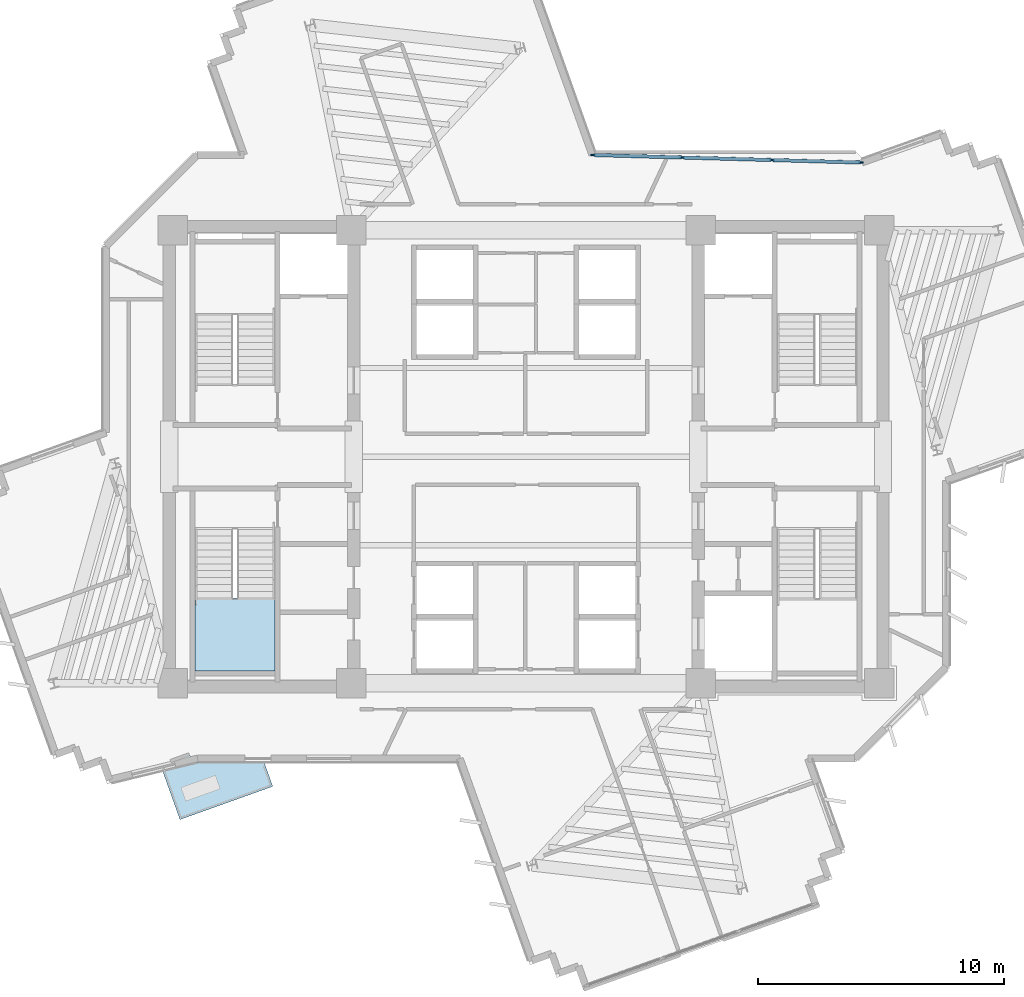
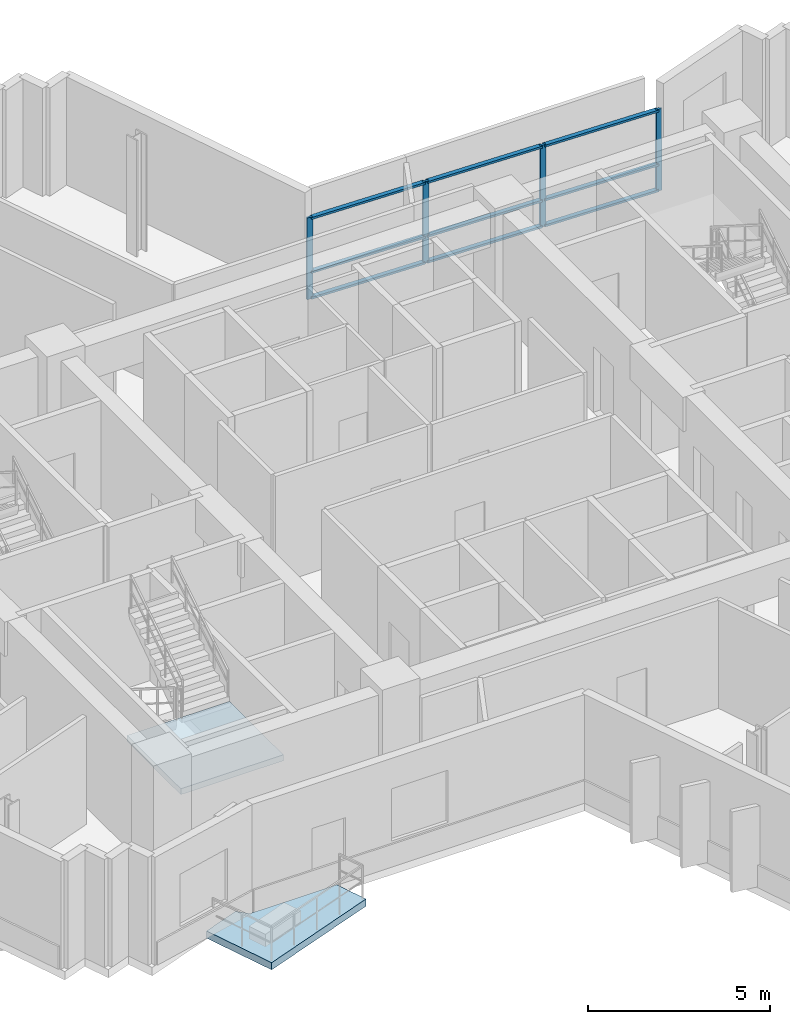
# One storey, part 4 of 13: 13 members, 2 slabs, 2 elements without a shape of their own.
"""IFC4 building model written with IfcOpenShell, lengths in metres."""

from ifc_helpers import new_model, si_unit, direction, frame, origin, origin_2d, place, context, subcontext, project, spatial, polyline, rectangle, outline, extrude, source, transform, mapped, material, layer, layer_set, material_profile, profile_set, type_object, element, aggregate, save


model = new_model("IFC4")

# Units and contexts
model_context = context("Model", 3, precision=1e-05, world=origin(), true_north=direction((0.0, 1.0)))
body_context = subcontext(model_context, "Body", "Model", "MODEL_VIEW")
ifc_project = project(units=[si_unit("LENGTHUNIT", "METRE"), si_unit("AREAUNIT", "SQUARE_METRE"), si_unit("VOLUMEUNIT", "CUBIC_METRE"), si_unit("PLANEANGLEUNIT", "RADIAN"), si_unit("MASSUNIT", "GRAM", prefix="KILO")], contexts=[model_context])

# Site, building, storey
site_placement = place(None, origin())
site = spatial("IfcSite", under=ifc_project, at=site_placement, CompositionType="ELEMENT")
building_placement = place(site_placement, origin())
building = spatial("IfcBuilding", under=site, at=building_placement, Name="Zahravan Cultural Tower", CompositionType="ELEMENT")
storey_placement = place(building_placement, frame((0.0, 0.0, 221.39990234375)))
storey = spatial("IfcBuildingStorey", under=building, at=storey_placement, Name="L52", CompositionType="ELEMENT", Elevation=221.39990234375)

# Curtain wall, members
ifc_material_1 = material(Name="Anodised bronze-aluminium mullion", Category="aluminium")
ifc_layer_1 = layer(ifc_material_1, 0.179931640625)
ifc_layer_set_1 = layer_set([ifc_layer_1], Name="Anodised bronze-aluminium mullion")
curtain_wall_type = type_object("IfcCurtainWallType", Name="CW-SYS-3", PredefinedType="USERDEFINED", material=ifc_layer_set_1)
curtain_wall_placement = place(storey_placement, origin())
curtain_wall = element("IfcCurtainWall", 1, at=curtain_wall_placement, inside=storey, type_object=curtain_wall_type, Name="L52 Recessed Curtain Wall CW-3.2", ObjectType="RECESSED GLAZING", PredefinedType="USERDEFINED")
ifc_material_profile_1 = material_profile(ifc_material_1, rectangle(XDim=0.070068359375, YDim=0.179931640625, at=origin_2d()), Name="AL-M70X180")
ifc_profile_set_1 = profile_set([ifc_material_profile_1], Name="Anodised bronze-aluminium mullion")
member_type_1 = type_object("IfcMemberType", Name="CWM-CW-3", PredefinedType="MULLION", material=ifc_profile_set_1)
shared_shape_1 = source(origin(), body_context, "Body", "SweptSolid", [
    extrude(rectangle(XDim=0.070068359375, YDim=0.179931640625, at=origin_2d()), origin(), (0.0, 0.0, 1.0), 2.739990234375),
])
member_1_placement = place(storey_placement, frame((38.725830078125, 39.259033203125, 0.0), z_axis=(0.0, 0.0, 1.0), x_axis=(0.028155405977, 0.999603557974, 0.0)))
member_1 = element("IfcMember", 2, at=member_1_placement, type_object=member_type_1, Name="CW-3 mullion 1", PredefinedType="MULLION", context=body_context, shape_type="MappedRepresentation", body=[
    mapped(shared_shape_1, transform((0.0, 0.0, 0.0), x_axis=(1.0, 0.0, 0.0), y_axis=(0.0, 1.0, 0.0), z_axis=(0.0, 0.0, 1.0), scale=1.0)),
])
member_2_placement = place(storey_placement, frame((42.34423828125, 39.156982421875, 0.0), z_axis=(0.0, 0.0, 1.0), x_axis=(0.028155405977, 0.999603557974, 0.0)))
member_2 = element("IfcMember", 3, at=member_2_placement, type_object=member_type_1, Name="CW-3 mullion 2", PredefinedType="MULLION", context=body_context, shape_type="MappedRepresentation", body=[
    mapped(shared_shape_1, transform((0.0, 0.0, 0.0), x_axis=(1.0, 0.0, 0.0), y_axis=(0.0, 1.0, 0.0), z_axis=(0.0, 0.0, 1.0), scale=1.0)),
])
member_3_placement = place(storey_placement, frame((45.997314453125, 39.05419921875, 0.0), z_axis=(0.0, 0.0, 1.0), x_axis=(0.028155405977, 0.999603557974, 0.0)))
member_3 = element("IfcMember", 4, at=member_3_placement, type_object=member_type_1, Name="CW-3 mullion 3", PredefinedType="MULLION", context=body_context, shape_type="MappedRepresentation", body=[
    mapped(shared_shape_1, transform((0.0, 0.0, 0.0), x_axis=(1.0, 0.0, 0.0), y_axis=(0.0, 1.0, 0.0), z_axis=(0.0, 0.0, 1.0), scale=1.0)),
])
member_4_placement = place(storey_placement, frame((49.61572265625, 38.952392578125, 0.0), z_axis=(0.0, 0.0, 1.0), x_axis=(0.028155405977, 0.999603557974, 0.0)))
member_4 = element("IfcMember", 5, at=member_4_placement, type_object=member_type_1, Name="CW-3 mullion 4", PredefinedType="MULLION", context=body_context, shape_type="MappedRepresentation", body=[
    mapped(shared_shape_1, transform((0.0, 0.0, 0.0), x_axis=(1.0, 0.0, 0.0), y_axis=(0.0, 1.0, 0.0), z_axis=(0.0, 0.0, 1.0), scale=1.0)),
])
ifc_material_profile_2 = material_profile(ifc_material_1, rectangle(XDim=0.139892578125, YDim=0.070068359375, at=origin_2d()), Name="AL-T70X140")
ifc_profile_set_2 = profile_set([ifc_material_profile_2], Name="Anodised bronze-aluminium mullion")
member_type_2 = type_object("IfcMemberType", Name="CWT-CW-3", PredefinedType="USERDEFINED", material=ifc_profile_set_2)
shared_shape_2 = source(origin(), body_context, "Body", "SweptSolid", [
    extrude(rectangle(XDim=0.139892578125, YDim=0.070068359375, at=origin_2d()), origin(), (0.0, 0.0, 1.0), 3.549560546875),
])
member_5_placement = place(storey_placement, frame((38.760986328125, 39.258056640625, 0.03515625), z_axis=(0.999604225153, -0.028131709082, 0.0), x_axis=(0.028131709082, 0.999604225153, 0.0)))
member_5 = element("IfcMember", 6, at=member_5_placement, type_object=member_type_2, Name="CW-3 transom 1.1", ObjectType="TRANSOM", PredefinedType="USERDEFINED", context=body_context, shape_type="MappedRepresentation", body=[
    mapped(shared_shape_2, transform((0.0, 0.0, 0.0), x_axis=(1.0, 0.0, 0.0), y_axis=(0.0, 1.0, 0.0), z_axis=(0.0, 0.0, 1.0), scale=1.0)),
])
member_6_placement = place(storey_placement, frame((38.760986328125, 39.258056640625, 0.900146484375), z_axis=(0.999604225153, -0.028131709082, 0.0), x_axis=(0.028131709082, 0.999604225153, 0.0)))
member_6 = element("IfcMember", 7, at=member_6_placement, type_object=member_type_2, Name="CW-3 transom 1.2", ObjectType="TRANSOM", PredefinedType="USERDEFINED", context=body_context, shape_type="MappedRepresentation", body=[
    mapped(shared_shape_2, transform((0.0, 0.0, 0.0), x_axis=(1.0, 0.0, 0.0), y_axis=(0.0, 1.0, 0.0), z_axis=(0.0, 0.0, 1.0), scale=1.0)),
])
member_7_placement = place(storey_placement, frame((38.760986328125, 39.258056640625, 2.705078125), z_axis=(0.999604225153, -0.028131709082, 0.0), x_axis=(0.028131709082, 0.999604225153, 0.0)))
member_7 = element("IfcMember", 8, at=member_7_placement, type_object=member_type_2, Name="CW-3 transom 1.3", ObjectType="TRANSOM", PredefinedType="USERDEFINED", context=body_context, shape_type="MappedRepresentation", body=[
    mapped(shared_shape_2, transform((0.0, 0.0, 0.0), x_axis=(1.0, 0.0, 0.0), y_axis=(0.0, 1.0, 0.0), z_axis=(0.0, 0.0, 1.0), scale=1.0)),
])
shared_shape_3 = source(origin(), body_context, "Body", "SweptSolid", [
    extrude(rectangle(XDim=0.139892578125, YDim=0.070068359375, at=origin_2d()), origin(), (0.0, 0.0, 1.0), 3.584716796875),
])
member_8_placement = place(storey_placement, frame((42.379150390625, 39.156005859375, 0.03515625), z_axis=(0.999604325829, -0.028128131537, 0.0), x_axis=(0.028128131537, 0.999604325829, 0.0)))
member_8 = element("IfcMember", 9, at=member_8_placement, type_object=member_type_2, Name="CW-3 transom 2.1", ObjectType="TRANSOM", PredefinedType="USERDEFINED", context=body_context, shape_type="MappedRepresentation", body=[
    mapped(shared_shape_3, transform((0.0, 0.0, 0.0), x_axis=(1.0, 0.0, 0.0), y_axis=(0.0, 1.0, 0.0), z_axis=(0.0, 0.0, 1.0), scale=1.0)),
])
member_9_placement = place(storey_placement, frame((42.379150390625, 39.156005859375, 0.900146484375), z_axis=(0.999604325829, -0.028128131537, 0.0), x_axis=(0.028128131537, 0.999604325829, 0.0)))
member_9 = element("IfcMember", 10, at=member_9_placement, type_object=member_type_2, Name="CW-3 transom 2.2", ObjectType="TRANSOM", PredefinedType="USERDEFINED", context=body_context, shape_type="MappedRepresentation", body=[
    mapped(shared_shape_3, transform((0.0, 0.0, 0.0), x_axis=(1.0, 0.0, 0.0), y_axis=(0.0, 1.0, 0.0), z_axis=(0.0, 0.0, 1.0), scale=1.0)),
])
member_10_placement = place(storey_placement, frame((42.379150390625, 39.156005859375, 2.705078125), z_axis=(0.999604325829, -0.028128131537, 0.0), x_axis=(0.028128131537, 0.999604325829, 0.0)))
member_10 = element("IfcMember", 11, at=member_10_placement, type_object=member_type_2, Name="CW-3 transom 2.3", ObjectType="TRANSOM", PredefinedType="USERDEFINED", context=body_context, shape_type="MappedRepresentation", body=[
    mapped(shared_shape_3, transform((0.0, 0.0, 0.0), x_axis=(1.0, 0.0, 0.0), y_axis=(0.0, 1.0, 0.0), z_axis=(0.0, 0.0, 1.0), scale=1.0)),
])
shared_shape_4 = source(origin(), body_context, "Body", "SweptSolid", [
    extrude(rectangle(XDim=0.139892578125, YDim=0.070068359375, at=origin_2d()), origin(), (0.0, 0.0, 1.0), 3.5498046875),
])
member_11_placement = place(storey_placement, frame((46.032470703125, 39.05322265625, 0.03515625), z_axis=(0.999604279581, -0.028129775034, 0.0), x_axis=(0.028129775034, 0.999604279581, 0.0)))
member_11 = element("IfcMember", 12, at=member_11_placement, type_object=member_type_2, Name="CW-3 transom 3.1", ObjectType="TRANSOM", PredefinedType="USERDEFINED", context=body_context, shape_type="MappedRepresentation", body=[
    mapped(shared_shape_4, transform((0.0, 0.0, 0.0), x_axis=(1.0, 0.0, 0.0), y_axis=(0.0, 1.0, 0.0), z_axis=(0.0, 0.0, 1.0), scale=1.0)),
])
member_12_placement = place(storey_placement, frame((46.032470703125, 39.05322265625, 0.900146484375), z_axis=(0.999604279581, -0.028129775034, 0.0), x_axis=(0.028129775034, 0.999604279581, 0.0)))
member_12 = element("IfcMember", 13, at=member_12_placement, type_object=member_type_2, Name="CW-3 transom 3.2", ObjectType="TRANSOM", PredefinedType="USERDEFINED", context=body_context, shape_type="MappedRepresentation", body=[
    mapped(shared_shape_4, transform((0.0, 0.0, 0.0), x_axis=(1.0, 0.0, 0.0), y_axis=(0.0, 1.0, 0.0), z_axis=(0.0, 0.0, 1.0), scale=1.0)),
])
member_13_placement = place(storey_placement, frame((46.032470703125, 39.05322265625, 2.705078125), z_axis=(0.999604279581, -0.028129775034, 0.0), x_axis=(0.028129775034, 0.999604279581, 0.0)))
member_13 = element("IfcMember", 14, at=member_13_placement, type_object=member_type_2, Name="CW-3 transom 3.3", ObjectType="TRANSOM", PredefinedType="USERDEFINED", context=body_context, shape_type="MappedRepresentation", body=[
    mapped(shared_shape_4, transform((0.0, 0.0, 0.0), x_axis=(1.0, 0.0, 0.0), y_axis=(0.0, 1.0, 0.0), z_axis=(0.0, 0.0, 1.0), scale=1.0)),
])
aggregate(curtain_wall, [member_1, member_2, member_3, member_4, member_5, member_6, member_7, member_8, member_9, member_10, member_11, member_12, member_13])

# Stair, slab
ifc_material_2 = material(Name="Concrete C45/55", Category="concrete")
stair_type = type_object("IfcStairType", Name="STR-DL-1550-390", PredefinedType="HALF_TURN_STAIR", material=ifc_material_2)
stair_placement = place(storey_placement, origin())
stair = element("IfcStair", 15, at=stair_placement, inside=storey, type_object=stair_type, Name="L52 West Core South Exit Stair ST-W2", PredefinedType="HALF_TURN_STAIR")
ifc_layer_2 = layer(ifc_material_2, 0.199951171875)
ifc_layer_set_2 = layer_set([ifc_layer_2], Name="Concrete C45/55")
slab_type_1 = type_object("IfcSlabType", Name="SL-STAIR-LND200", PredefinedType="LANDING", material=ifc_layer_set_2)
slab_1_placement = place(storey_placement, frame((0.0, 0.0, 1.75)))
slab_1 = element("IfcSlab", 16, at=slab_1_placement, type_object=slab_type_1, Name="ST-W2 landing 1", PredefinedType="LANDING", context=body_context, shape_type="SweptSolid", body=[
    extrude(outline(polyline([(22.550048828125, 21.25), (22.550048828125, 18.300048828125), (25.800048828125, 18.300048828125), (25.800048828125, 21.25), (22.550048828125, 21.25)])), origin(), (0.0, 0.0, 1.0), 0.2001953125),
])
aggregate(stair, [slab_1])

# Slab
ifc_material_3 = material(Name="Concrete C40/50", Category="concrete")
ifc_layer_3 = layer(ifc_material_3, 0.239990234375)
ifc_layer_set_3 = layer_set([ifc_layer_3], Name="Concrete C40/50")
slab_type_2 = type_object("IfcSlabType", Name="SL-TERR-240", PredefinedType="FLOOR", material=ifc_layer_set_3)
slab_2_placement = place(storey_placement, frame((0.0, 0.0, -0.239990234375)))
element("IfcSlab", 17, at=slab_2_placement, inside=storey, type_object=slab_type_2, Name="L52 Planted Sculpture Terrace SW", PredefinedType="FLOOR", context=body_context, shape_type="SweptSolid", body=[
    extrude(outline(polyline([(25.707763671875, 13.604736328125), (25.35400390625, 14.594970703125), (22.599609375, 14.594970703125), (22.311767578125, 14.881103515625), (21.15185546875, 14.466796875), (21.941162109375, 12.258544921875), (25.707763671875, 13.604736328125)])), origin(), (0.0, 0.0, 1.0), 0.239990234375),
])

save(model, "model.ifc")
